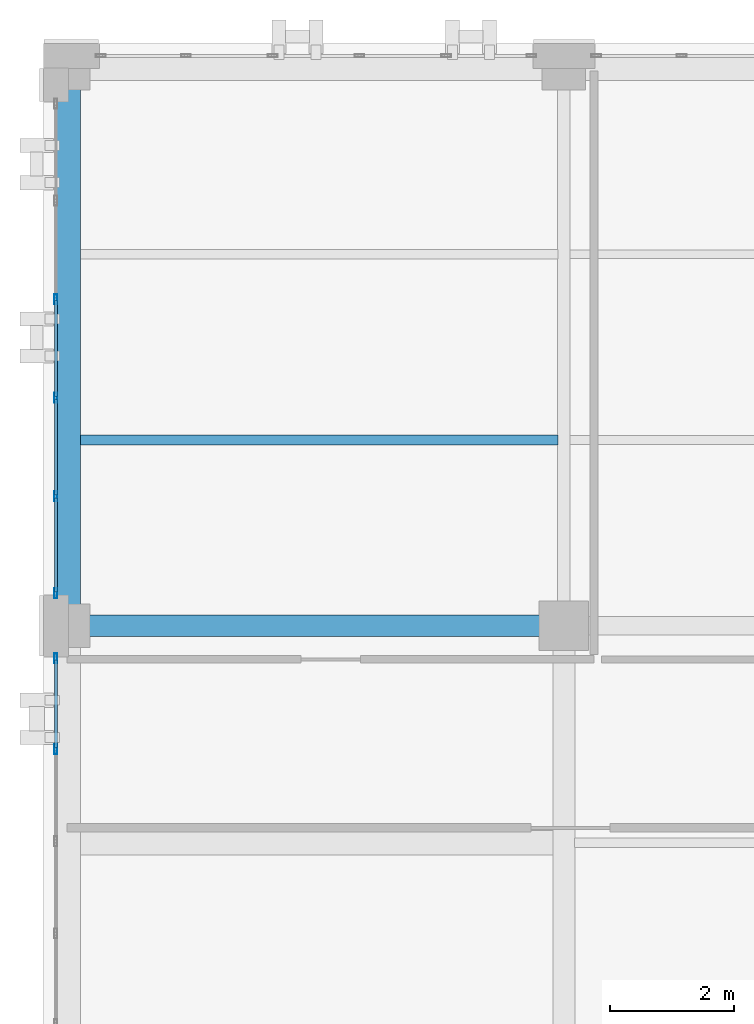
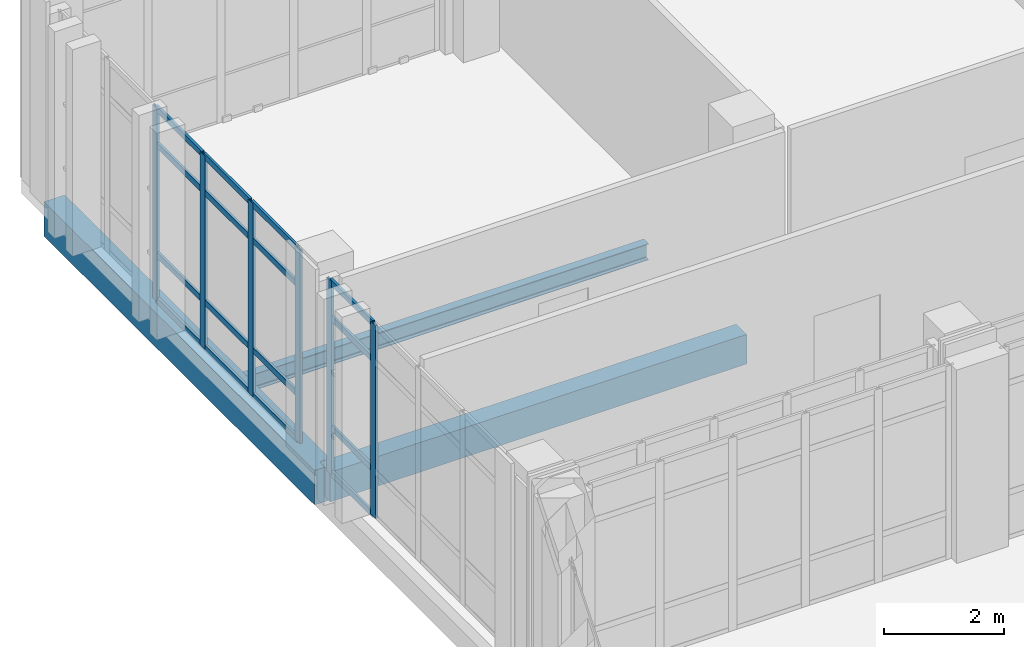
# One storey, part 85 of 158: 22 members, 3 beams, 2 elements without a shape of their own.
"""IFC4 building model written with IfcOpenShell, lengths in metres."""

from ifc_helpers import new_model, si_unit, direction, frame, origin, origin_2d, place, context, subcontext, project, spatial, rectangle, hollow_rectangle, i_section, extrude, material, layer, layer_set, material_profile, profile_set, type_object, element, aggregate, save


model = new_model("IFC4")

# Units and contexts
model_context = context("Model", 3, precision=1e-05, world=origin(), true_north=direction((0.0, 1.0)))
body_context = subcontext(model_context, "Body", "Model", "MODEL_VIEW")
ifc_project = project(units=[si_unit("LENGTHUNIT", "METRE"), si_unit("AREAUNIT", "SQUARE_METRE"), si_unit("VOLUMEUNIT", "CUBIC_METRE"), si_unit("PLANEANGLEUNIT", "RADIAN"), si_unit("MASSUNIT", "GRAM", prefix="KILO")], contexts=[model_context])

# Site, building, storey
site_placement = place(None, origin())
site = spatial("IfcSite", under=ifc_project, at=site_placement, CompositionType="ELEMENT")
building_placement = place(site_placement, origin())
building = spatial("IfcBuilding", under=site, at=building_placement, Name="Qalavern Law Courts", CompositionType="ELEMENT")
storey_placement = place(building_placement, frame((0.0, 0.0, 18.60009765625)))
storey = spatial("IfcBuildingStorey", under=building, at=storey_placement, Name="L04", CompositionType="ELEMENT", Elevation=18.60009765625)

# Curtain wall, members
ifc_material_1 = material(Name="Anodised aluminium and insulated glazing", Category="aluminium")
ifc_layer = layer(ifc_material_1, 0.166015625)
ifc_layer_set = layer_set([ifc_layer], Name="Anodised aluminium and insulated glazing")
curtain_wall_type = type_object("IfcCurtainWallType", Name="ENV-CW-LIB", PredefinedType="USERDEFINED", material=ifc_layer_set)
curtain_wall_1_placement = place(storey_placement, origin())
curtain_wall_1 = element("IfcCurtainWall", 1, at=curtain_wall_1_placement, inside=storey, type_object=curtain_wall_type, Name="V5 unitised curtain wall L04 west 1", ObjectType="UNITISED CURTAIN WALL", PredefinedType="USERDEFINED")
ifc_material_2 = material(Name="Anodised aluminium", Category="aluminium")
ifc_material_profile_1 = material_profile(ifc_material_2, hollow_rectangle(XDim=0.048095703125, YDim=0.159912109375, WallThickness=0.00390625, at=origin_2d()), Name="ALU MULLION 48x160")
ifc_profile_set_1 = profile_set([ifc_material_profile_1], Name="Anodised aluminium")
member_type_1 = type_object("IfcMemberType", Name="ENV-CWM-48x160", PredefinedType="MULLION", material=ifc_profile_set_1)
member_1_placement = place(storey_placement, frame((2.199951171875, 108.873046875, 0.0), z_axis=(0.0, 0.0, 1.0), x_axis=(1.0, 0.0, 0.0)))
member_1 = element("IfcMember", 2, at=member_1_placement, type_object=member_type_1, Name="CW-05 mullion 3", PredefinedType="MULLION", context=body_context, shape_type="SweptSolid", body=[
    extrude(hollow_rectangle(XDim=0.048095703125, YDim=0.159912109375, WallThickness=0.00390625, at=origin_2d()), origin(), (0.0, 0.0, 1.0), 3.9248046875),
])
member_2_placement = place(storey_placement, frame((2.199951171875, 107.281982421875, 0.0), z_axis=(0.0, 0.0, 1.0), x_axis=(1.0, 0.0, 0.0)))
member_2 = element("IfcMember", 3, at=member_2_placement, type_object=member_type_1, Name="CW-05 mullion 4", PredefinedType="MULLION", context=body_context, shape_type="SweptSolid", body=[
    extrude(hollow_rectangle(XDim=0.048095703125, YDim=0.159912109375, WallThickness=0.00390625, at=origin_2d()), origin(), (0.0, 0.0, 1.0), 3.9248046875),
])
member_3_placement = place(storey_placement, frame((2.199951171875, 105.69091796875, 0.0), z_axis=(0.0, 0.0, 1.0), x_axis=(1.0, 0.0, 0.0)))
member_3 = element("IfcMember", 4, at=member_3_placement, type_object=member_type_1, Name="CW-05 mullion 5", PredefinedType="MULLION", context=body_context, shape_type="SweptSolid", body=[
    extrude(hollow_rectangle(XDim=0.048095703125, YDim=0.159912109375, WallThickness=0.00390625, at=origin_2d()), origin(), (0.0, 0.0, 1.0), 3.9248046875),
])
member_4_placement = place(storey_placement, frame((2.199951171875, 104.1240234375, 0.0), z_axis=(0.0, 0.0, 1.0), x_axis=(1.0, 0.0, 0.0)))
member_4 = element("IfcMember", 5, at=member_4_placement, type_object=member_type_1, Name="CW-05 mullion 6", PredefinedType="MULLION", context=body_context, shape_type="SweptSolid", body=[
    extrude(hollow_rectangle(XDim=0.048095703125, YDim=0.159912109375, WallThickness=0.00390625, at=origin_2d()), origin(), (0.0, 0.0, 1.0), 3.9248046875),
])

curtain_wall_2_placement = place(storey_placement, origin())
curtain_wall_2 = element("IfcCurtainWall", 6, at=curtain_wall_2_placement, inside=storey, type_object=curtain_wall_type, Name="V5 unitised curtain wall L04 west 2", ObjectType="UNITISED CURTAIN WALL", PredefinedType="USERDEFINED")
member_5_placement = place(storey_placement, frame((2.199951171875, 103.075927734375, 0.0), z_axis=(0.0, 0.0, 1.0), x_axis=(1.0, 0.0, 0.0)))
member_5 = element("IfcMember", 7, at=member_5_placement, type_object=member_type_1, Name="CW-05 mullion 1", PredefinedType="MULLION", context=body_context, shape_type="SweptSolid", body=[
    extrude(hollow_rectangle(XDim=0.048095703125, YDim=0.159912109375, WallThickness=0.00390625, at=origin_2d()), origin(), (0.0, 0.0, 1.0), 3.9248046875),
])
member_6_placement = place(storey_placement, frame((2.199951171875, 101.611328125, 0.0), z_axis=(0.0, 0.0, 1.0), x_axis=(1.0, 0.0, 0.0)))
member_6 = element("IfcMember", 8, at=member_6_placement, type_object=member_type_1, Name="CW-05 mullion 2", PredefinedType="MULLION", context=body_context, shape_type="SweptSolid", body=[
    extrude(hollow_rectangle(XDim=0.048095703125, YDim=0.159912109375, WallThickness=0.00390625, at=origin_2d()), origin(), (0.0, 0.0, 1.0), 3.9248046875),
])

# Member
ifc_material_profile_2 = material_profile(ifc_material_2, hollow_rectangle(XDim=0.048095703125, YDim=0.1201171875, WallThickness=0.00390625, at=origin_2d()), Name="ALU TRANSOM 48x120")
ifc_profile_set_2 = profile_set([ifc_material_profile_2], Name="Anodised aluminium")
member_type_2 = type_object("IfcMemberType", Name="ENV-CWT-48x120", PredefinedType="USERDEFINED", material=ifc_profile_set_2)
member_7_placement = place(storey_placement, frame((2.199951171875, 108.84912109375, 0.02392578125), z_axis=(0.0, -1.0, 0.0), x_axis=(1.0, 0.0, 0.0)))
member_7 = element("IfcMember", 9, at=member_7_placement, type_object=member_type_2, Name="CW-05 transom 3.1", ObjectType="TRANSOM", PredefinedType="USERDEFINED", context=body_context, shape_type="SweptSolid", body=[
    extrude(hollow_rectangle(XDim=0.048095703125, YDim=0.1201171875, WallThickness=0.00390625, at=origin_2d()), origin(), (0.0, 0.0, 1.0), 1.543212890625),
])

member_8_placement = place(storey_placement, frame((2.199951171875, 108.84912109375, 0.949951171875), z_axis=(0.0, -1.0, 0.0), x_axis=(1.0, 0.0, 0.0)))
member_8 = element("IfcMember", 10, at=member_8_placement, type_object=member_type_2, Name="CW-05 transom 3.2", ObjectType="TRANSOM", PredefinedType="USERDEFINED", context=body_context, shape_type="SweptSolid", body=[
    extrude(hollow_rectangle(XDim=0.048095703125, YDim=0.1201171875, WallThickness=0.00390625, at=origin_2d()), origin(), (0.0, 0.0, 1.0), 1.543212890625),
])

member_9_placement = place(storey_placement, frame((2.199951171875, 108.84912109375, 3.1748046875), z_axis=(0.0, -1.0, 0.0), x_axis=(1.0, 0.0, 0.0)))
member_9 = element("IfcMember", 11, at=member_9_placement, type_object=member_type_2, Name="CW-05 transom 3.3", ObjectType="TRANSOM", PredefinedType="USERDEFINED", context=body_context, shape_type="SweptSolid", body=[
    extrude(hollow_rectangle(XDim=0.048095703125, YDim=0.1201171875, WallThickness=0.00390625, at=origin_2d()), origin(), (0.0, 0.0, 1.0), 1.543212890625),
])

member_10_placement = place(storey_placement, frame((2.199951171875, 108.84912109375, 3.90087890625), z_axis=(0.0, -1.0, 0.0), x_axis=(1.0, 0.0, 0.0)))
member_10 = element("IfcMember", 12, at=member_10_placement, type_object=member_type_2, Name="CW-05 transom 3.4", ObjectType="TRANSOM", PredefinedType="USERDEFINED", context=body_context, shape_type="SweptSolid", body=[
    extrude(hollow_rectangle(XDim=0.048095703125, YDim=0.1201171875, WallThickness=0.00390625, at=origin_2d()), origin(), (0.0, 0.0, 1.0), 1.543212890625),
])

member_11_placement = place(storey_placement, frame((2.199951171875, 107.258056640625, 0.02392578125), z_axis=(0.0, -1.0, 0.0), x_axis=(1.0, 0.0, 0.0)))
member_11 = element("IfcMember", 13, at=member_11_placement, type_object=member_type_2, Name="CW-05 transom 4.1", ObjectType="TRANSOM", PredefinedType="USERDEFINED", context=body_context, shape_type="SweptSolid", body=[
    extrude(hollow_rectangle(XDim=0.048095703125, YDim=0.1201171875, WallThickness=0.00390625, at=origin_2d()), origin(), (0.0, 0.0, 1.0), 1.54296875),
])

member_12_placement = place(storey_placement, frame((2.199951171875, 107.258056640625, 0.949951171875), z_axis=(0.0, -1.0, 0.0), x_axis=(1.0, 0.0, 0.0)))
member_12 = element("IfcMember", 14, at=member_12_placement, type_object=member_type_2, Name="CW-05 transom 4.2", ObjectType="TRANSOM", PredefinedType="USERDEFINED", context=body_context, shape_type="SweptSolid", body=[
    extrude(hollow_rectangle(XDim=0.048095703125, YDim=0.1201171875, WallThickness=0.00390625, at=origin_2d()), origin(), (0.0, 0.0, 1.0), 1.54296875),
])

member_13_placement = place(storey_placement, frame((2.199951171875, 107.258056640625, 3.1748046875), z_axis=(0.0, -1.0, 0.0), x_axis=(1.0, 0.0, 0.0)))
member_13 = element("IfcMember", 15, at=member_13_placement, type_object=member_type_2, Name="CW-05 transom 4.3", ObjectType="TRANSOM", PredefinedType="USERDEFINED", context=body_context, shape_type="SweptSolid", body=[
    extrude(hollow_rectangle(XDim=0.048095703125, YDim=0.1201171875, WallThickness=0.00390625, at=origin_2d()), origin(), (0.0, 0.0, 1.0), 1.54296875),
])

member_14_placement = place(storey_placement, frame((2.199951171875, 107.258056640625, 3.90087890625), z_axis=(0.0, -1.0, 0.0), x_axis=(1.0, 0.0, 0.0)))
member_14 = element("IfcMember", 16, at=member_14_placement, type_object=member_type_2, Name="CW-05 transom 4.4", ObjectType="TRANSOM", PredefinedType="USERDEFINED", context=body_context, shape_type="SweptSolid", body=[
    extrude(hollow_rectangle(XDim=0.048095703125, YDim=0.1201171875, WallThickness=0.00390625, at=origin_2d()), origin(), (0.0, 0.0, 1.0), 1.54296875),
])

member_15_placement = place(storey_placement, frame((2.199951171875, 105.6669921875, 0.02392578125), z_axis=(0.0, -1.0, 0.0), x_axis=(1.0, 0.0, 0.0)))
member_15 = element("IfcMember", 17, at=member_15_placement, type_object=member_type_2, Name="CW-05 transom 5.1", ObjectType="TRANSOM", PredefinedType="USERDEFINED", context=body_context, shape_type="SweptSolid", body=[
    extrude(hollow_rectangle(XDim=0.048095703125, YDim=0.1201171875, WallThickness=0.00390625, at=origin_2d()), origin(), (0.0, 0.0, 1.0), 1.51904296875),
])

member_16_placement = place(storey_placement, frame((2.199951171875, 105.6669921875, 0.949951171875), z_axis=(0.0, -1.0, 0.0), x_axis=(1.0, 0.0, 0.0)))
member_16 = element("IfcMember", 18, at=member_16_placement, type_object=member_type_2, Name="CW-05 transom 5.2", ObjectType="TRANSOM", PredefinedType="USERDEFINED", context=body_context, shape_type="SweptSolid", body=[
    extrude(hollow_rectangle(XDim=0.048095703125, YDim=0.1201171875, WallThickness=0.00390625, at=origin_2d()), origin(), (0.0, 0.0, 1.0), 1.51904296875),
])

member_17_placement = place(storey_placement, frame((2.199951171875, 105.6669921875, 3.1748046875), z_axis=(0.0, -1.0, 0.0), x_axis=(1.0, 0.0, 0.0)))
member_17 = element("IfcMember", 19, at=member_17_placement, type_object=member_type_2, Name="CW-05 transom 5.3", ObjectType="TRANSOM", PredefinedType="USERDEFINED", context=body_context, shape_type="SweptSolid", body=[
    extrude(hollow_rectangle(XDim=0.048095703125, YDim=0.1201171875, WallThickness=0.00390625, at=origin_2d()), origin(), (0.0, 0.0, 1.0), 1.51904296875),
])

member_18_placement = place(storey_placement, frame((2.199951171875, 105.6669921875, 3.90087890625), z_axis=(0.0, -1.0, 0.0), x_axis=(1.0, 0.0, 0.0)))
member_18 = element("IfcMember", 20, at=member_18_placement, type_object=member_type_2, Name="CW-05 transom 5.4", ObjectType="TRANSOM", PredefinedType="USERDEFINED", context=body_context, shape_type="SweptSolid", body=[
    extrude(hollow_rectangle(XDim=0.048095703125, YDim=0.1201171875, WallThickness=0.00390625, at=origin_2d()), origin(), (0.0, 0.0, 1.0), 1.51904296875),
])

aggregate(curtain_wall_1, [member_1, member_2, member_3, member_4, member_7, member_8, member_9, member_10, member_11, member_12, member_13, member_14, member_15, member_16, member_17, member_18])

member_19_placement = place(storey_placement, frame((2.199951171875, 103.052001953125, 0.02392578125), z_axis=(0.0, -1.0, 0.0), x_axis=(1.0, 0.0, 0.0)))
member_19 = element("IfcMember", 21, at=member_19_placement, type_object=member_type_2, Name="CW-05 transom 1.1", ObjectType="TRANSOM", PredefinedType="USERDEFINED", context=body_context, shape_type="SweptSolid", body=[
    extrude(hollow_rectangle(XDim=0.048095703125, YDim=0.1201171875, WallThickness=0.00390625, at=origin_2d()), origin(), (0.0, 0.0, 1.0), 1.416748046875),
])

member_20_placement = place(storey_placement, frame((2.199951171875, 103.052001953125, 0.949951171875), z_axis=(0.0, -1.0, 0.0), x_axis=(1.0, 0.0, 0.0)))
member_20 = element("IfcMember", 22, at=member_20_placement, type_object=member_type_2, Name="CW-05 transom 1.2", ObjectType="TRANSOM", PredefinedType="USERDEFINED", context=body_context, shape_type="SweptSolid", body=[
    extrude(hollow_rectangle(XDim=0.048095703125, YDim=0.1201171875, WallThickness=0.00390625, at=origin_2d()), origin(), (0.0, 0.0, 1.0), 1.416748046875),
])

member_21_placement = place(storey_placement, frame((2.199951171875, 103.052001953125, 3.1748046875), z_axis=(0.0, -1.0, 0.0), x_axis=(1.0, 0.0, 0.0)))
member_21 = element("IfcMember", 23, at=member_21_placement, type_object=member_type_2, Name="CW-05 transom 1.3", ObjectType="TRANSOM", PredefinedType="USERDEFINED", context=body_context, shape_type="SweptSolid", body=[
    extrude(hollow_rectangle(XDim=0.048095703125, YDim=0.1201171875, WallThickness=0.00390625, at=origin_2d()), origin(), (0.0, 0.0, 1.0), 1.416748046875),
])

member_22_placement = place(storey_placement, frame((2.199951171875, 103.052001953125, 3.90087890625), z_axis=(0.0, -1.0, 0.0), x_axis=(1.0, 0.0, 0.0)))
member_22 = element("IfcMember", 24, at=member_22_placement, type_object=member_type_2, Name="CW-05 transom 1.4", ObjectType="TRANSOM", PredefinedType="USERDEFINED", context=body_context, shape_type="SweptSolid", body=[
    extrude(hollow_rectangle(XDim=0.048095703125, YDim=0.1201171875, WallThickness=0.00390625, at=origin_2d()), origin(), (0.0, 0.0, 1.0), 1.416748046875),
])

aggregate(curtain_wall_2, [member_5, member_6, member_19, member_20, member_21, member_22])

# Beams
ifc_material_3 = material(Name="Concrete C35/45", Category="concrete")
ifc_material_profile_3 = material_profile(ifc_material_3, rectangle(XDim=0.35009765625, YDim=0.60009765625, at=origin_2d()), Name="RC 350x600")
ifc_profile_set_3 = profile_set([ifc_material_profile_3], Name="Concrete C35/45")
beam_type_1 = type_object("IfcBeamType", Name="STR-BM-RC350x600", PredefinedType="BEAM", material=ifc_profile_set_3)
beam_1_placement = place(storey_placement, frame((2.39990234375, 103.60009765625, -0.580078125), z_axis=(1.0, 0.0, 0.0), x_axis=(0.0, 1.0, 0.0)))
element("IfcBeam", 25, at=beam_1_placement, inside=storey, type_object=beam_type_1, Name="V5 X-beam 2-1 L04", PredefinedType="BEAM", context=body_context, shape_type="SweptSolid", body=[
    extrude(rectangle(XDim=0.35009765625, YDim=0.60009765625, at=origin_2d()), origin(), (0.0, 0.0, 1.0), 8.0),
])
ifc_material_4 = material(Name="Steel S355", Category="steel")
ifc_material_profile_4 = material_profile(ifc_material_4, i_section(OverallWidth=0.159912109375, OverallDepth=0.330078125, WebThickness=0.007568359375, FlangeThickness=0.011474609375, FilletRadius=0.01806640625, at=origin_2d()), Name="IPE 330")
ifc_profile_set_4 = profile_set([ifc_material_profile_4], Name="Steel S355")
beam_type_2 = type_object("IfcBeamType", Name="STR-JST-IPE330", PredefinedType="JOIST", material=ifc_profile_set_4)
beam_2_placement = place(storey_placement, frame((2.597900390625, 106.60009765625, -0.445068359375), z_axis=(1.0, 0.0, 0.0), x_axis=(0.0, 1.0, 0.0)))
element("IfcBeam", 26, at=beam_2_placement, inside=storey, type_object=beam_type_2, Name="V5 secondary joist 1.2.1 L04", PredefinedType="JOIST", context=body_context, shape_type="SweptSolid", body=[
    extrude(i_section(OverallWidth=0.159912109375, OverallDepth=0.330078125, WebThickness=0.007568359375, FlangeThickness=0.011474609375, FilletRadius=0.01806640625, at=origin_2d()), origin(), (0.0, 0.0, 1.0), 7.7041015625),
])
ifc_material_5 = material(Name="Concrete C40/50", Category="concrete")
ifc_material_profile_5 = material_profile(ifc_material_5, rectangle(XDim=0.39990234375, YDim=0.699951171875, at=origin_2d()), Name="RC 400x700")
ifc_profile_set_5 = profile_set([ifc_material_profile_5], Name="Concrete C40/50")
beam_type_3 = type_object("IfcBeamType", Name="STR-SP-RC400x700", PredefinedType="SPANDREL", material=ifc_profile_set_5)
beam_3_placement = place(storey_placement, frame((2.39990234375, 103.60009765625, -0.630126953125), z_axis=(0.0, 1.0, 0.0), x_axis=(-1.0, 0.0, 0.0)))
element("IfcBeam", 27, at=beam_3_placement, inside=storey, type_object=beam_type_3, Name="V5 Y-beam 1-2 L04", PredefinedType="SPANDREL", context=body_context, shape_type="SweptSolid", body=[
    extrude(rectangle(XDim=0.39990234375, YDim=0.699951171875, at=origin_2d()), origin(), (0.0, 0.0, 1.0), 9.0),
])

save(model, "model.ifc")
